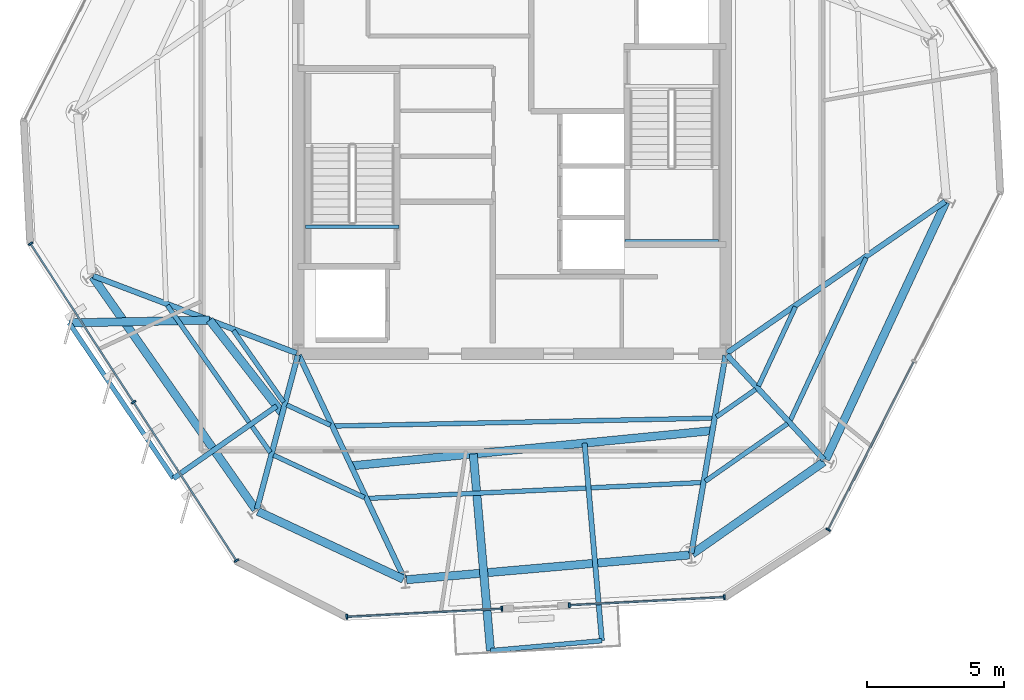
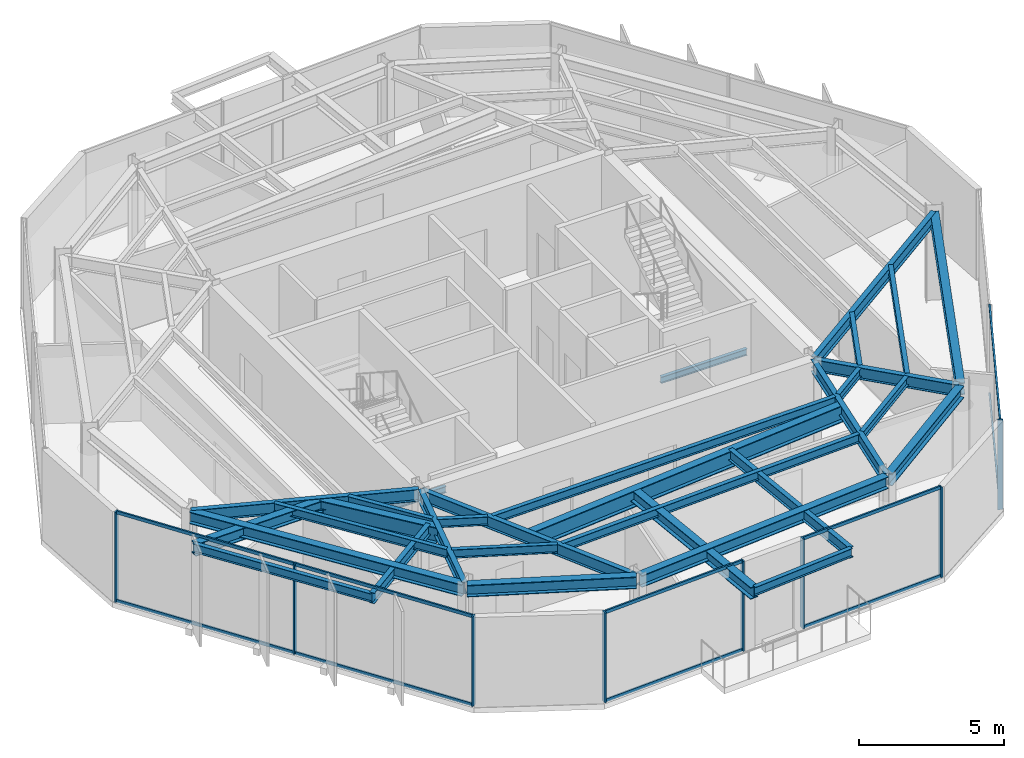
# One storey, part 2 of 11: 31 beams, 18 members, 4 elements without a shape of their own.
"""IFC4 building model written with IfcOpenShell, lengths in metres."""

from ifc_helpers import new_model, si_unit, direction, frame, origin, origin_2d, place, context, subcontext, project, spatial, rectangle, i_section, extrude, material, layer, layer_set, material_profile, profile_set, type_object, element, aggregate, save


model = new_model("IFC4")

# Units and contexts
model_context = context("Model", 3, precision=1e-05, world=origin(), true_north=direction((0.0, 1.0)))
body_context = subcontext(model_context, "Body", "Model", "MODEL_VIEW")
ifc_project = project(units=[si_unit("LENGTHUNIT", "METRE"), si_unit("AREAUNIT", "SQUARE_METRE"), si_unit("VOLUMEUNIT", "CUBIC_METRE"), si_unit("PLANEANGLEUNIT", "RADIAN"), si_unit("MASSUNIT", "GRAM", prefix="KILO")], contexts=[model_context])

# Site, building, storey
site_placement = place(None, origin())
site = spatial("IfcSite", under=ifc_project, at=site_placement, CompositionType="ELEMENT")
building_placement = place(site_placement, origin())
building = spatial("IfcBuilding", under=site, at=building_placement, Name="Kranzbogen Civic Tower", CompositionType="ELEMENT")
storey_placement = place(building_placement, frame((0.0, 0.0, 278.199951171875)))
storey = spatial("IfcBuildingStorey", under=building, at=storey_placement, Name="L67", CompositionType="ELEMENT", Elevation=278.199951171875)

# Beams
ifc_material_1 = material(Name="Steel S355", Category="steel")
ifc_material_profile_1 = material_profile(ifc_material_1, i_section(OverallWidth=0.18994140625, OverallDepth=0.449951171875, WebThickness=0.009521484375, FlangeThickness=0.0146484375, at=origin_2d()), Name="IPE 450")
ifc_profile_set_1 = profile_set([ifc_material_profile_1], Name="Steel S355")
beam_type_1 = type_object("IfcBeamType", Name="Braced Terrace Edge Beam IPE 450", PredefinedType="BEAM", material=ifc_profile_set_1)
beam_1_placement = place(storey_placement, frame((27.64794921875, 14.541015625, 3.525146484375), z_axis=(0.087187033338, -0.996191960025, 0.0), x_axis=(0.996191960025, 0.087187033338, 0.0)))
element("IfcBeam", 1, at=beam_1_placement, inside=storey, type_object=beam_type_1, Name="L68 back-spanned terrace beam L68-TB1-2", PredefinedType="BEAM", context=body_context, shape_type="SweptSolid", body=[
    extrude(i_section(OverallWidth=0.18994140625, OverallDepth=0.449951171875, WebThickness=0.009521484375, FlangeThickness=0.0146484375, at=origin_2d()), origin(), (0.0, 0.0, 1.0), 7.238525390625),
])
beam_2_placement = place(storey_placement, frame((16.4150390625, 15.889892578125, 3.4951171875), z_axis=(-0.819134534389, -0.573601442267, 0.0), x_axis=(0.573601442267, -0.819134534389, 0.0)))
element("IfcBeam", 2, at=beam_2_placement, inside=storey, type_object=beam_type_1, Name="L68 back-spanned terrace beam L68-ST-2", PredefinedType="BEAM", context=body_context, shape_type="SweptSolid", body=[
    extrude(i_section(OverallWidth=0.18994140625, OverallDepth=0.449951171875, WebThickness=0.009521484375, FlangeThickness=0.0146484375, at=origin_2d()), origin(), (0.0, 0.0, 1.0), 4.59375),
])

# Curtain wall, members
ifc_material_2 = material(Name="Pale Anodised Aluminium", Category="aluminium")
ifc_layer = layer(ifc_material_2, 0.219970703125, Name="Pale Anodised Aluminium")
ifc_layer_set = layer_set([ifc_layer], Name="Pale Anodised Aluminium")
curtain_wall_type = type_object("IfcCurtainWallType", Name="Zone 4 Stick Curtain Wall System CW-05", PredefinedType="USERDEFINED", material=ifc_layer_set)
curtain_wall_1_placement = place(storey_placement, origin())
curtain_wall_1 = element("IfcCurtainWall", 3, at=curtain_wall_1_placement, inside=storey, type_object=curtain_wall_type, Name="L67 curtain wall CW-L67-F3", ObjectType="STICK CURTAIN WALL", PredefinedType="USERDEFINED")
ifc_material_profile_2 = material_profile(ifc_material_2, rectangle(XDim=0.06494140625, YDim=0.179931640625, at=origin_2d()), Name="ALU-M 65x180")
ifc_profile_set_2 = profile_set([ifc_material_profile_2], Name="Pale Anodised Aluminium")
member_type_1 = type_object("IfcMemberType", Name="Curtain Wall Mullion ALU-M 65x180", PredefinedType="MULLION", material=ifc_profile_set_2)
member_1_placement = place(storey_placement, frame((7.437255859375, 21.81787109375, 0.0), z_axis=(0.0, 0.0, 1.0), x_axis=(0.544648305375, -0.838664547631, 0.0)))
member_1 = element("IfcMember", 4, at=member_1_placement, type_object=member_type_1, Name="CW-05 mullion 1", PredefinedType="MULLION", context=body_context, shape_type="SweptSolid", body=[
    extrude(rectangle(XDim=0.06494140625, YDim=0.179931640625, at=origin_2d()), origin(), (0.0, 0.0, 1.0), 3.780029296875),
])
member_2_placement = place(storey_placement, frame((11.193603515625, 16.033935546875, 0.0), z_axis=(0.0, 0.0, 1.0), x_axis=(0.544648305375, -0.838664547631, 0.0)))
member_2 = element("IfcMember", 5, at=member_2_placement, type_object=member_type_1, Name="CW-05 mullion 2", PredefinedType="MULLION", context=body_context, shape_type="SweptSolid", body=[
    extrude(rectangle(XDim=0.06494140625, YDim=0.179931640625, at=origin_2d()), origin(), (0.0, 0.0, 1.0), 3.780029296875),
])
member_3_placement = place(storey_placement, frame((14.94970703125, 10.250244140625, 0.0), z_axis=(0.0, 0.0, 1.0), x_axis=(0.544648305375, -0.838664547631, 0.0)))
member_3 = element("IfcMember", 6, at=member_3_placement, type_object=member_type_1, Name="CW-05 mullion 3", PredefinedType="MULLION", context=body_context, shape_type="SweptSolid", body=[
    extrude(rectangle(XDim=0.06494140625, YDim=0.179931640625, at=origin_2d()), origin(), (0.0, 0.0, 1.0), 3.780029296875),
])

curtain_wall_2_placement = place(storey_placement, origin())
curtain_wall_2 = element("IfcCurtainWall", 7, at=curtain_wall_2_placement, inside=storey, type_object=curtain_wall_type, Name="L67 curtain wall CW-L67-F4-S1", ObjectType="STICK CURTAIN WALL", PredefinedType="USERDEFINED")
member_4_placement = place(storey_placement, frame((18.973876953125, 8.199462890625, 0.0), z_axis=(0.0, 0.0, 1.0), x_axis=(0.998626979061, 0.052384699027, 0.0)))
member_4 = element("IfcMember", 8, at=member_4_placement, type_object=member_type_1, Name="CW-05 mullion 1", PredefinedType="MULLION", context=body_context, shape_type="SweptSolid", body=[
    extrude(rectangle(XDim=0.06494140625, YDim=0.179931640625, at=origin_2d()), origin(), (0.0, 0.0, 1.0), 3.780029296875),
])
member_5_placement = place(storey_placement, frame((24.633056640625, 8.496337890625, 0.0), z_axis=(0.0, 0.0, 1.0), x_axis=(0.998626979061, 0.052384699027, 0.0)))
member_5 = element("IfcMember", 9, at=member_5_placement, type_object=member_type_1, Name="CW-05 mullion 2", PredefinedType="MULLION", context=body_context, shape_type="SweptSolid", body=[
    extrude(rectangle(XDim=0.06494140625, YDim=0.179931640625, at=origin_2d()), origin(), (0.0, 0.0, 1.0), 3.780029296875),
])

curtain_wall_3_placement = place(storey_placement, origin())
curtain_wall_3 = element("IfcCurtainWall", 10, at=curtain_wall_3_placement, inside=storey, type_object=curtain_wall_type, Name="L67 curtain wall CW-L67-F4-S2", ObjectType="STICK CURTAIN WALL", PredefinedType="USERDEFINED")
member_6_placement = place(storey_placement, frame((27.08984375, 8.62451171875, 0.0), z_axis=(0.0, 0.0, 1.0), x_axis=(0.998626979061, 0.052384699027, 0.0)))
member_6 = element("IfcMember", 11, at=member_6_placement, type_object=member_type_1, Name="CW-05 mullion 1", PredefinedType="MULLION", context=body_context, shape_type="SweptSolid", body=[
    extrude(rectangle(XDim=0.06494140625, YDim=0.179931640625, at=origin_2d()), origin(), (0.0, 0.0, 1.0), 3.780029296875),
])
member_7_placement = place(storey_placement, frame((32.7490234375, 8.92138671875, 0.0), z_axis=(0.0, 0.0, 1.0), x_axis=(0.998626979061, 0.052384699027, 0.0)))
member_7 = element("IfcMember", 12, at=member_7_placement, type_object=member_type_1, Name="CW-05 mullion 2", PredefinedType="MULLION", context=body_context, shape_type="SweptSolid", body=[
    extrude(rectangle(XDim=0.06494140625, YDim=0.179931640625, at=origin_2d()), origin(), (0.0, 0.0, 1.0), 3.780029296875),
])

# Curtain wall, member
curtain_wall_4_placement = place(storey_placement, origin())
curtain_wall_4 = element("IfcCurtainWall", 13, at=curtain_wall_4_placement, inside=storey, type_object=curtain_wall_type, Name="L67 curtain wall CW-L67-F5", ObjectType="STICK CURTAIN WALL", PredefinedType="USERDEFINED")
member_8_placement = place(storey_placement, frame((36.53759765625, 11.380615234375, 0.0), z_axis=(0.0, 0.0, 1.0), x_axis=(0.453899828869, 0.891052717494, 0.0)))
member_8 = element("IfcMember", 14, at=member_8_placement, type_object=member_type_1, Name="CW-05 mullion 1", PredefinedType="MULLION", context=body_context, shape_type="SweptSolid", body=[
    extrude(rectangle(XDim=0.06494140625, YDim=0.179931640625, at=origin_2d()), origin(), (0.0, 0.0, 1.0), 3.780029296875),
])

# Member
ifc_material_profile_3 = material_profile(ifc_material_2, rectangle(XDim=0.06494140625, YDim=0.135009765625, at=origin_2d()), Name="ALU-T 65x135")
ifc_profile_set_3 = profile_set([ifc_material_profile_3], Name="Pale Anodised Aluminium")
member_type_2 = type_object("IfcMemberType", Name="Curtain Wall Transom ALU-T 65x135", PredefinedType="USERDEFINED", material=ifc_profile_set_3)
member_9_placement = place(storey_placement, frame((7.45361328125, 21.792724609375, 0.030029296875), z_axis=(0.544655679678, -0.83865975854, 0.0), x_axis=(0.83865975854, 0.544655679678, 0.0)))
member_9 = element("IfcMember", 15, at=member_9_placement, type_object=member_type_2, Name="CW-05 transom 1.1", ObjectType="TRANSOM", PredefinedType="USERDEFINED", context=body_context, shape_type="SweptSolid", body=[
    extrude(rectangle(XDim=0.06494140625, YDim=0.135009765625, at=origin_2d()), origin(), (0.0, 0.0, 1.0), 6.836669921875),
])

member_10_placement = place(storey_placement, frame((7.45361328125, 21.792724609375, 3.75), z_axis=(0.544655679678, -0.83865975854, 0.0), x_axis=(0.83865975854, 0.544655679678, 0.0)))
member_10 = element("IfcMember", 16, at=member_10_placement, type_object=member_type_2, Name="CW-05 transom 1.2", ObjectType="TRANSOM", PredefinedType="USERDEFINED", context=body_context, shape_type="SweptSolid", body=[
    extrude(rectangle(XDim=0.06494140625, YDim=0.135009765625, at=origin_2d()), origin(), (0.0, 0.0, 1.0), 6.836669921875),
])

member_11_placement = place(storey_placement, frame((11.2099609375, 16.0087890625, 0.030029296875), z_axis=(0.544646874111, -0.838665477125, 0.0), x_axis=(0.838665477125, 0.544646874111, 0.0)))
member_11 = element("IfcMember", 17, at=member_11_placement, type_object=member_type_2, Name="CW-05 transom 2.1", ObjectType="TRANSOM", PredefinedType="USERDEFINED", context=body_context, shape_type="SweptSolid", body=[
    extrude(rectangle(XDim=0.06494140625, YDim=0.135009765625, at=origin_2d()), origin(), (0.0, 0.0, 1.0), 6.83642578125),
])

member_12_placement = place(storey_placement, frame((11.2099609375, 16.0087890625, 3.75), z_axis=(0.544646874111, -0.838665477125, 0.0), x_axis=(0.838665477125, 0.544646874111, 0.0)))
member_12 = element("IfcMember", 18, at=member_12_placement, type_object=member_type_2, Name="CW-05 transom 2.2", ObjectType="TRANSOM", PredefinedType="USERDEFINED", context=body_context, shape_type="SweptSolid", body=[
    extrude(rectangle(XDim=0.06494140625, YDim=0.135009765625, at=origin_2d()), origin(), (0.0, 0.0, 1.0), 6.83642578125),
])

aggregate(curtain_wall_1, [member_1, member_2, member_3, member_9, member_10, member_11, member_12])

member_13_placement = place(storey_placement, frame((19.00390625, 8.201171875, 0.030029296875), z_axis=(0.998627075846, 0.052382853939, 0.0), x_axis=(-0.052382853939, 0.998627075846, 0.0)))
member_13 = element("IfcMember", 19, at=member_13_placement, type_object=member_type_2, Name="CW-05 transom 1.1", ObjectType="TRANSOM", PredefinedType="USERDEFINED", context=body_context, shape_type="SweptSolid", body=[
    extrude(rectangle(XDim=0.06494140625, YDim=0.135009765625, at=origin_2d()), origin(), (0.0, 0.0, 1.0), 5.60693359375),
])

member_14_placement = place(storey_placement, frame((19.00390625, 8.201171875, 3.75), z_axis=(0.998627075846, 0.052382853939, 0.0), x_axis=(-0.052382853939, 0.998627075846, 0.0)))
member_14 = element("IfcMember", 20, at=member_14_placement, type_object=member_type_2, Name="CW-05 transom 1.2", ObjectType="TRANSOM", PredefinedType="USERDEFINED", context=body_context, shape_type="SweptSolid", body=[
    extrude(rectangle(XDim=0.06494140625, YDim=0.135009765625, at=origin_2d()), origin(), (0.0, 0.0, 1.0), 5.60693359375),
])

aggregate(curtain_wall_2, [member_4, member_5, member_13, member_14])

member_15_placement = place(storey_placement, frame((27.119873046875, 8.626220703125, 0.030029296875), z_axis=(0.998627075846, 0.052382853939, 0.0), x_axis=(-0.052382853939, 0.998627075846, 0.0)))
member_15 = element("IfcMember", 21, at=member_15_placement, type_object=member_type_2, Name="CW-05 transom 1.1", ObjectType="TRANSOM", PredefinedType="USERDEFINED", context=body_context, shape_type="SweptSolid", body=[
    extrude(rectangle(XDim=0.06494140625, YDim=0.135009765625, at=origin_2d()), origin(), (0.0, 0.0, 1.0), 5.60693359375),
])

member_16_placement = place(storey_placement, frame((27.119873046875, 8.626220703125, 3.75), z_axis=(0.998627075846, 0.052382853939, 0.0), x_axis=(-0.052382853939, 0.998627075846, 0.0)))
member_16 = element("IfcMember", 22, at=member_16_placement, type_object=member_type_2, Name="CW-05 transom 1.2", ObjectType="TRANSOM", PredefinedType="USERDEFINED", context=body_context, shape_type="SweptSolid", body=[
    extrude(rectangle(XDim=0.06494140625, YDim=0.135009765625, at=origin_2d()), origin(), (0.0, 0.0, 1.0), 5.60693359375),
])

aggregate(curtain_wall_3, [member_6, member_7, member_15, member_16])

member_17_placement = place(storey_placement, frame((36.55126953125, 11.407470703125, 0.030029296875), z_axis=(0.453886194099, 0.891059662877, 0.0), x_axis=(-0.891059662877, 0.453886194099, 0.0)))
member_17 = element("IfcMember", 23, at=member_17_placement, type_object=member_type_2, Name="CW-05 transom 1.1", ObjectType="TRANSOM", PredefinedType="USERDEFINED", context=body_context, shape_type="SweptSolid", body=[
    extrude(rectangle(XDim=0.06494140625, YDim=0.135009765625, at=origin_2d()), origin(), (0.0, 0.0, 1.0), 6.836669921875),
])

member_18_placement = place(storey_placement, frame((36.55126953125, 11.407470703125, 3.75), z_axis=(0.453886194099, 0.891059662877, 0.0), x_axis=(-0.891059662877, 0.453886194099, 0.0)))
member_18 = element("IfcMember", 24, at=member_18_placement, type_object=member_type_2, Name="CW-05 transom 1.2", ObjectType="TRANSOM", PredefinedType="USERDEFINED", context=body_context, shape_type="SweptSolid", body=[
    extrude(rectangle(XDim=0.06494140625, YDim=0.135009765625, at=origin_2d()), origin(), (0.0, 0.0, 1.0), 6.836669921875),
])

aggregate(curtain_wall_4, [member_8, member_17, member_18])

# Beams
ifc_material_profile_4 = material_profile(ifc_material_1, i_section(OverallWidth=0.300048828125, OverallDepth=0.5, WebThickness=0.014404296875, FlangeThickness=0.028076171875, at=origin_2d()), Name="HEB 500")
ifc_profile_set_4 = profile_set([ifc_material_profile_4], Name="Steel S355")
beam_type_2 = type_object("IfcBeamType", Name="Perimeter Tube Spandrel Beam HEB 500", PredefinedType="SPANDREL", material=ifc_profile_set_4)
beam_3_placement = place(storey_placement, frame((9.699951171875, 20.612060546875, 3.530029296875), z_axis=(0.573577759301, -0.819151117948, 0.0), x_axis=(0.819151117948, 0.573577759301, 0.0)))
element("IfcBeam", 25, at=beam_3_placement, inside=storey, type_object=beam_type_2, Name="L67 perimeter spandrel beam 01", PredefinedType="SPANDREL", context=body_context, shape_type="SweptSolid", body=[
    extrude(i_section(OverallWidth=0.300048828125, OverallDepth=0.5, WebThickness=0.014404296875, FlangeThickness=0.028076171875, at=origin_2d()), origin(), (0.0, 0.0, 1.0), 10.36328125),
])
beam_4_placement = place(storey_placement, frame((15.73193359375, 12.049072265625, 3.530029296875), z_axis=(0.906289661556, -0.422657129784, 0.0), x_axis=(0.422657129784, 0.906289661556, 0.0)))
element("IfcBeam", 26, at=beam_4_placement, inside=storey, type_object=beam_type_2, Name="L67 perimeter spandrel beam 02", PredefinedType="SPANDREL", context=body_context, shape_type="SweptSolid", body=[
    extrude(i_section(OverallWidth=0.300048828125, OverallDepth=0.5, WebThickness=0.014404296875, FlangeThickness=0.028076171875, at=origin_2d()), origin(), (0.0, 0.0, 1.0), 5.853759765625),
])
beam_5_placement = place(storey_placement, frame((21.15087890625, 9.554931640625, 3.530029296875), z_axis=(0.996186373839, 0.087250837114, 0.0), x_axis=(-0.087250837114, 0.996186373839, 0.0)))
element("IfcBeam", 27, at=beam_5_placement, inside=storey, type_object=beam_type_2, Name="L67 perimeter spandrel beam 03", PredefinedType="SPANDREL", context=body_context, shape_type="SweptSolid", body=[
    extrude(i_section(OverallWidth=0.300048828125, OverallDepth=0.5, WebThickness=0.014404296875, FlangeThickness=0.028076171875, at=origin_2d()), origin(), (0.0, 0.0, 1.0), 10.361572265625),
])
beam_6_placement = place(storey_placement, frame((31.58203125, 10.498046875, 3.530029296875), z_axis=(0.819059436004, 0.57370867197, 0.0), x_axis=(-0.57370867197, 0.819059436004, 0.0)))
element("IfcBeam", 28, at=beam_6_placement, inside=storey, type_object=beam_type_2, Name="L67 perimeter spandrel beam 04", PredefinedType="SPANDREL", context=body_context, shape_type="SweptSolid", body=[
    extrude(i_section(OverallWidth=0.300048828125, OverallDepth=0.5, WebThickness=0.014404296875, FlangeThickness=0.028076171875, at=origin_2d()), origin(), (0.0, 0.0, 1.0), 5.85302734375),
])
beam_7_placement = place(storey_placement, frame((36.449951171875, 13.944091796875, 3.530029296875), z_axis=(0.422668780888, 0.906284227857, 0.0), x_axis=(-0.906284227857, 0.422668780888, 0.0)))
element("IfcBeam", 29, at=beam_7_placement, inside=storey, type_object=beam_type_2, Name="L67 perimeter spandrel beam 05", PredefinedType="SPANDREL", context=body_context, shape_type="SweptSolid", body=[
    extrude(i_section(OverallWidth=0.300048828125, OverallDepth=0.5, WebThickness=0.014404296875, FlangeThickness=0.028076171875, at=origin_2d()), origin(), (0.0, 0.0, 1.0), 10.363037109375),
])
beam_8_placement = place(storey_placement, frame((23.5869140625, 14.14501953125, 3.5), z_axis=(0.087327110333, -0.996179690518, 0.0), x_axis=(0.996179690518, 0.087327110333, 0.0)))
element("IfcBeam", 30, at=beam_8_placement, inside=storey, type_object=beam_type_2, Name="L68 back-spanned terrace beam L68-TB1-1", PredefinedType="SPANDREL", context=body_context, shape_type="SweptSolid", body=[
    extrude(i_section(OverallWidth=0.300048828125, OverallDepth=0.5, WebThickness=0.014404296875, FlangeThickness=0.028076171875, at=origin_2d()), origin(), (0.0, 0.0, 1.0), 7.20458984375),
])
beam_9_placement = place(storey_placement, frame((13.966064453125, 19.028076171875, 3.469970703125), z_axis=(-0.999801581425, -0.019919783653, 0.0), x_axis=(0.019919783653, -0.999801581425, 0.0)))
element("IfcBeam", 31, at=beam_9_placement, inside=storey, type_object=beam_type_2, Name="L68 back-spanned terrace beam L68-ST-1", PredefinedType="SPANDREL", context=body_context, shape_type="SweptSolid", body=[
    extrude(i_section(OverallWidth=0.300048828125, OverallDepth=0.5, WebThickness=0.014404296875, FlangeThickness=0.028076171875, at=origin_2d()), origin(), (0.0, 0.0, 1.0), 5.123046875),
])
ifc_material_profile_5 = material_profile(ifc_material_1, i_section(OverallWidth=0.300048828125, OverallDepth=0.699951171875, WebThickness=0.01708984375, FlangeThickness=0.031982421875, at=origin_2d()), Name="HEB 700")
ifc_profile_set_5 = profile_set([ifc_material_profile_5], Name="Steel S355")
beam_type_3 = type_object("IfcBeamType", Name="Perimeter Tube Spandrel Beam HEB 700", PredefinedType="SPANDREL", material=ifc_profile_set_5)
beam_10_placement = place(storey_placement, frame((19.12890625, 13.7099609375, 3.400146484375), z_axis=(0.995270463506, 0.097142701589, 0.0), x_axis=(-0.097142701589, 0.995270463506, 0.0)))
element("IfcBeam", 32, at=beam_10_placement, inside=storey, type_object=beam_type_3, Name="L68 balcony back-span header girder L68-TB1", PredefinedType="SPANDREL", context=body_context, shape_type="SweptSolid", body=[
    extrude(i_section(OverallWidth=0.300048828125, OverallDepth=0.699951171875, WebThickness=0.01708984375, FlangeThickness=0.031982421875, at=origin_2d()), origin(), (0.0, 0.0, 1.0), 13.249755859375),
])
beam_11_placement = place(storey_placement, frame((13.966064453125, 19.028076171875, 3.3701171875), z_axis=(0.615153431403, -0.788407417414, 0.0), x_axis=(0.788407417414, 0.615153431403, 0.0)))
element("IfcBeam", 33, at=beam_11_placement, inside=storey, type_object=beam_type_3, Name="L68 balcony back-span header girder L68-ST", PredefinedType="SPANDREL", context=body_context, shape_type="SweptSolid", body=[
    extrude(i_section(OverallWidth=0.300048828125, OverallDepth=0.699951171875, WebThickness=0.01708984375, FlangeThickness=0.031982421875, at=origin_2d()), origin(), (0.0, 0.0, 1.0), 4.317626953125),
])
ifc_material_profile_6 = material_profile(ifc_material_1, i_section(OverallWidth=0.199951171875, OverallDepth=0.5, WebThickness=0.01025390625, FlangeThickness=0.01611328125, at=origin_2d()), Name="IPE 500")
ifc_profile_set_6 = profile_set([ifc_material_profile_6], Name="Steel S355")
beam_type_4 = type_object("IfcBeamType", Name="Radial Tower Floor Girder IPE 500", PredefinedType="BEAM", material=ifc_profile_set_6)
beam_12_placement = place(storey_placement, frame((9.721923828125, 20.639892578125, 3.530029296875), z_axis=(0.934848709689, -0.355046320913, 0.0), x_axis=(0.355046320913, 0.934848709689, 0.0)))
element("IfcBeam", 34, at=beam_12_placement, inside=storey, type_object=beam_type_4, Name="L67 radial floor girder 01", PredefinedType="BEAM", context=body_context, shape_type="SweptSolid", body=[
    extrude(i_section(OverallWidth=0.199951171875, OverallDepth=0.5, WebThickness=0.01025390625, FlangeThickness=0.01611328125, at=origin_2d()), origin(), (0.0, 0.0, 1.0), 7.939453125),
])
beam_13_placement = place(storey_placement, frame((15.693115234375, 12.132080078125, 3.530029296875), z_axis=(0.257016017622, 0.966407143333, 0.0), x_axis=(-0.966407143333, 0.257016017622, 0.0)))
element("IfcBeam", 35, at=beam_13_placement, inside=storey, type_object=beam_type_4, Name="L67 radial floor girder 02", PredefinedType="BEAM", context=body_context, shape_type="SweptSolid", body=[
    extrude(i_section(OverallWidth=0.199951171875, OverallDepth=0.5, WebThickness=0.01025390625, FlangeThickness=0.01611328125, at=origin_2d()), origin(), (0.0, 0.0, 1.0), 5.804931640625),
])
beam_14_placement = place(storey_placement, frame((21.06494140625, 9.60400390625, 3.530029296875), z_axis=(-0.426460441273, 0.904506214478, 0.0), x_axis=(-0.904506214478, -0.426460441273, 0.0)))
element("IfcBeam", 36, at=beam_14_placement, inside=storey, type_object=beam_type_4, Name="L67 radial floor girder 03", PredefinedType="BEAM", context=body_context, shape_type="SweptSolid", body=[
    extrude(i_section(OverallWidth=0.199951171875, OverallDepth=0.5, WebThickness=0.01025390625, FlangeThickness=0.01611328125, at=origin_2d()), origin(), (0.0, 0.0, 1.0), 9.001708984375),
])
beam_15_placement = place(storey_placement, frame((31.54296875, 10.52294921875, 3.530029296875), z_axis=(0.170249558486, 0.985400978199, 0.0), x_axis=(-0.985400978199, 0.170249558486, 0.0)))
element("IfcBeam", 37, at=beam_15_placement, inside=storey, type_object=beam_type_4, Name="L67 radial floor girder 04", PredefinedType="BEAM", context=body_context, shape_type="SweptSolid", body=[
    extrude(i_section(OverallWidth=0.199951171875, OverallDepth=0.5, WebThickness=0.01025390625, FlangeThickness=0.01611328125, at=origin_2d()), origin(), (0.0, 0.0, 1.0), 7.324951171875),
])
beam_16_placement = place(storey_placement, frame((36.384033203125, 13.93408203125, 3.530029296875), z_axis=(-0.679827353702, 0.733372190064, 0.0), x_axis=(-0.733372190064, -0.679827353702, 0.0)))
element("IfcBeam", 38, at=beam_16_placement, inside=storey, type_object=beam_type_4, Name="L67 radial floor girder 05", PredefinedType="BEAM", context=body_context, shape_type="SweptSolid", body=[
    extrude(i_section(OverallWidth=0.199951171875, OverallDepth=0.5, WebThickness=0.01025390625, FlangeThickness=0.01611328125, at=origin_2d()), origin(), (0.0, 0.0, 1.0), 5.211669921875),
])
beam_17_placement = place(storey_placement, frame((40.805908203125, 23.35595703125, 3.530029296875), z_axis=(-0.821542812331, -0.570146829779, 0.0), x_axis=(0.570146829779, -0.821542812331, 0.0)))
element("IfcBeam", 39, at=beam_17_placement, inside=storey, type_object=beam_type_4, Name="L67 radial floor girder 06", PredefinedType="BEAM", context=body_context, shape_type="SweptSolid", body=[
    extrude(i_section(OverallWidth=0.199951171875, OverallDepth=0.5, WebThickness=0.01025390625, FlangeThickness=0.01611328125, at=origin_2d()), origin(), (0.0, 0.0, 1.0), 9.68505859375),
])
ifc_material_profile_7 = material_profile(ifc_material_1, i_section(OverallWidth=0.169921875, OverallDepth=0.360107421875, WebThickness=0.008056640625, FlangeThickness=0.0126953125, at=origin_2d()), Name="IPE 360")
ifc_profile_set_7 = profile_set([ifc_material_profile_7], Name="Steel S355")
beam_type_5 = type_object("IfcBeamType", Name="Secondary Composite Floor Joist IPE 360", PredefinedType="JOIST", material=ifc_profile_set_7)
beam_18_placement = place(storey_placement, frame((12.424072265625, 19.56591796875, 3.60009765625), z_axis=(0.573499872939, -0.819205649235, 0.0), x_axis=(0.819205649235, 0.573499872939, 0.0)))
element("IfcBeam", 40, at=beam_18_placement, inside=storey, type_object=beam_type_5, Name="L67 secondary floor joist 1.01", PredefinedType="JOIST", context=body_context, shape_type="SweptSolid", body=[
    extrude(i_section(OverallWidth=0.169921875, OverallDepth=0.360107421875, WebThickness=0.008056640625, FlangeThickness=0.0126953125, at=origin_2d()), origin(), (0.0, 0.0, 1.0), 6.549072265625),
])
beam_19_placement = place(storey_placement, frame((14.8349609375, 18.64990234375, 3.60009765625), z_axis=(0.573498248491, -0.819206786457, 0.0), x_axis=(0.819206786457, 0.573498248491, 0.0)))
element("IfcBeam", 41, at=beam_19_placement, inside=storey, type_object=beam_type_5, Name="L67 secondary floor joist 2.01", PredefinedType="JOIST", context=body_context, shape_type="SweptSolid", body=[
    extrude(i_section(OverallWidth=0.169921875, OverallDepth=0.360107421875, WebThickness=0.008056640625, FlangeThickness=0.0126953125, at=origin_2d()), origin(), (0.0, 0.0, 1.0), 3.194580078125),
])
beam_20_placement = place(storey_placement, frame((16.298095703125, 14.10205078125, 3.60009765625), z_axis=(0.906303996948, -0.422626389517, 0.0), x_axis=(0.422626389517, 0.906303996948, 0.0)))
element("IfcBeam", 42, at=beam_20_placement, inside=storey, type_object=beam_type_5, Name="L67 secondary floor joist 1.02", PredefinedType="JOIST", context=body_context, shape_type="SweptSolid", body=[
    extrude(i_section(OverallWidth=0.169921875, OverallDepth=0.360107421875, WebThickness=0.008056640625, FlangeThickness=0.0126953125, at=origin_2d()), origin(), (0.0, 0.0, 1.0), 3.6630859375),
])
beam_21_placement = place(storey_placement, frame((16.784912109375, 15.93408203125, 3.60009765625), z_axis=(0.906432174342, -0.422351409751, 0.0), x_axis=(0.422351409751, 0.906432174342, 0.0)))
element("IfcBeam", 43, at=beam_21_placement, inside=storey, type_object=beam_type_5, Name="L67 secondary floor joist 2.02", PredefinedType="JOIST", context=body_context, shape_type="SweptSolid", body=[
    extrude(i_section(OverallWidth=0.169921875, OverallDepth=0.360107421875, WebThickness=0.008056640625, FlangeThickness=0.0126953125, at=origin_2d()), origin(), (0.0, 0.0, 1.0), 1.751953125),
])
beam_22_placement = place(storey_placement, frame((19.77001953125, 12.52392578125, 3.60009765625), z_axis=(0.998871634781, 0.047491654324, 0.0), x_axis=(-0.047491654324, 0.998871634781, 0.0)))
element("IfcBeam", 44, at=beam_22_placement, inside=storey, type_object=beam_type_5, Name="L67 secondary floor joist 1.03", PredefinedType="JOIST", context=body_context, shape_type="SweptSolid", body=[
    extrude(i_section(OverallWidth=0.169921875, OverallDepth=0.360107421875, WebThickness=0.008056640625, FlangeThickness=0.0126953125, at=origin_2d()), origin(), (0.0, 0.0, 1.0), 12.152587890625),
])
beam_23_placement = place(storey_placement, frame((18.52490234375, 15.162109375, 3.60009765625), z_axis=(0.999780746893, 0.020939392104, 0.0), x_axis=(-0.020939392104, 0.999780746893, 0.0)))
element("IfcBeam", 45, at=beam_23_placement, inside=storey, type_object=beam_type_5, Name="L67 secondary floor joist 2.03", PredefinedType="JOIST", context=body_context, shape_type="SweptSolid", body=[
    extrude(i_section(OverallWidth=0.169921875, OverallDepth=0.360107421875, WebThickness=0.008056640625, FlangeThickness=0.0126953125, at=origin_2d()), origin(), (0.0, 0.0, 1.0), 13.79296875),
])
beam_24_placement = place(storey_placement, frame((32.054931640625, 13.15087890625, 3.60009765625), z_axis=(0.819006333711, 0.573784476385, 0.0), x_axis=(-0.573784476385, 0.819006333711, 0.0)))
element("IfcBeam", 46, at=beam_24_placement, inside=storey, type_object=beam_type_5, Name="L67 secondary floor joist 1.04", PredefinedType="JOIST", context=body_context, shape_type="SweptSolid", body=[
    extrude(i_section(OverallWidth=0.169921875, OverallDepth=0.360107421875, WebThickness=0.008056640625, FlangeThickness=0.0126953125, at=origin_2d()), origin(), (0.0, 0.0, 1.0), 3.661865234375),
])
beam_25_placement = place(storey_placement, frame((32.4599609375, 15.498046875, 3.60009765625), z_axis=(0.818956727849, 0.573855276103, 0.0), x_axis=(-0.573855276103, 0.818956727849, 0.0)))
element("IfcBeam", 47, at=beam_25_placement, inside=storey, type_object=beam_type_5, Name="L67 secondary floor joist 2.04", PredefinedType="JOIST", context=body_context, shape_type="SweptSolid", body=[
    extrude(i_section(OverallWidth=0.169921875, OverallDepth=0.360107421875, WebThickness=0.008056640625, FlangeThickness=0.0126953125, at=origin_2d()), origin(), (0.0, 0.0, 1.0), 1.751220703125),
])
beam_26_placement = place(storey_placement, frame((35.154052734375, 15.3701171875, 3.60009765625), z_axis=(0.422542528713, 0.906343098075, 0.0), x_axis=(-0.906343098075, 0.422542528713, 0.0)))
element("IfcBeam", 48, at=beam_26_placement, inside=storey, type_object=beam_type_5, Name="L67 secondary floor joist 1.05", PredefinedType="JOIST", context=body_context, shape_type="SweptSolid", body=[
    extrude(i_section(OverallWidth=0.169921875, OverallDepth=0.360107421875, WebThickness=0.008056640625, FlangeThickness=0.0126953125, at=origin_2d()), origin(), (0.0, 0.0, 1.0), 6.548095703125),
])
beam_27_placement = place(storey_placement, frame((33.993896484375, 16.62109375, 3.60009765625), z_axis=(0.422651143991, 0.906292453065, 0.0), x_axis=(-0.906292453065, 0.422651143991, 0.0)))
element("IfcBeam", 49, at=beam_27_placement, inside=storey, type_object=beam_type_5, Name="L67 secondary floor joist 2.05", PredefinedType="JOIST", context=body_context, shape_type="SweptSolid", body=[
    extrude(i_section(OverallWidth=0.169921875, OverallDepth=0.360107421875, WebThickness=0.008056640625, FlangeThickness=0.0126953125, at=origin_2d()), origin(), (0.0, 0.0, 1.0), 3.1943359375),
])
beam_28_placement = place(storey_placement, frame((24.216064453125, 6.968017578125, 3.570068359375), z_axis=(0.996053027398, 0.08876016342, 0.0), x_axis=(-0.08876016342, 0.996053027398, 0.0)))
element("IfcBeam", 50, at=beam_28_placement, inside=storey, type_object=beam_type_5, Name="L68 terrace outer edge trimmer L68-TB1", PredefinedType="JOIST", context=body_context, shape_type="SweptSolid", body=[
    extrude(i_section(OverallWidth=0.169921875, OverallDepth=0.360107421875, WebThickness=0.008056640625, FlangeThickness=0.0126953125, at=origin_2d()), origin(), (0.0, 0.0, 1.0), 4.0791015625),
])
beam_29_placement = place(storey_placement, frame((8.843994140625, 18.926025390625, 3.5400390625), z_axis=(0.557468323406, -0.830198210308, 0.0), x_axis=(0.830198210308, 0.557468323406, 0.0)))
element("IfcBeam", 51, at=beam_29_placement, inside=storey, type_object=beam_type_5, Name="L68 terrace outer edge trimmer L68-ST", PredefinedType="JOIST", context=body_context, shape_type="SweptSolid", body=[
    extrude(i_section(OverallWidth=0.169921875, OverallDepth=0.360107421875, WebThickness=0.008056640625, FlangeThickness=0.0126953125, at=origin_2d()), origin(), (0.0, 0.0, 1.0), 6.8310546875),
])
ifc_material_profile_8 = material_profile(ifc_material_1, i_section(OverallWidth=0.135009765625, OverallDepth=0.27001953125, WebThickness=0.006591796875, FlangeThickness=0.01025390625, at=origin_2d()), Name="IPE 270")
ifc_profile_set_8 = profile_set([ifc_material_profile_8], Name="Steel S355")
beam_type_6 = type_object("IfcBeamType", Name="Stair Landing Support Beam IPE 270", PredefinedType="JOIST", material=ifc_profile_set_8)
for number, where, z_axis, x_axis, name in (
    (52, (20.8798828125, 22.43994140625, -0.35498046875), (-1.0, 0.0, 0.0), (0.0, -1.0, 0.0), "L67 ST-T1 stair floor header beam"),
    (53, (29.1201171875, 21.89990234375, 1.6650390625), (1.0, 0.0, 0.0), (0.0, 1.0, 0.0), "L67 ST-T2 landing support beam 1.2"),
):
    element("IfcBeam", number, at=place(storey_placement, frame(where, z_axis=z_axis, x_axis=x_axis)), inside=storey, type_object=beam_type_6, Name=name, PredefinedType="JOIST", context=body_context, shape_type="SweptSolid", body=[
        extrude(i_section(OverallWidth=0.135009765625, OverallDepth=0.27001953125, WebThickness=0.006591796875, FlangeThickness=0.01025390625, at=origin_2d()), origin(), (0.0, 0.0, 1.0), 3.409912109375),
    ])

save(model, "model.ifc")
